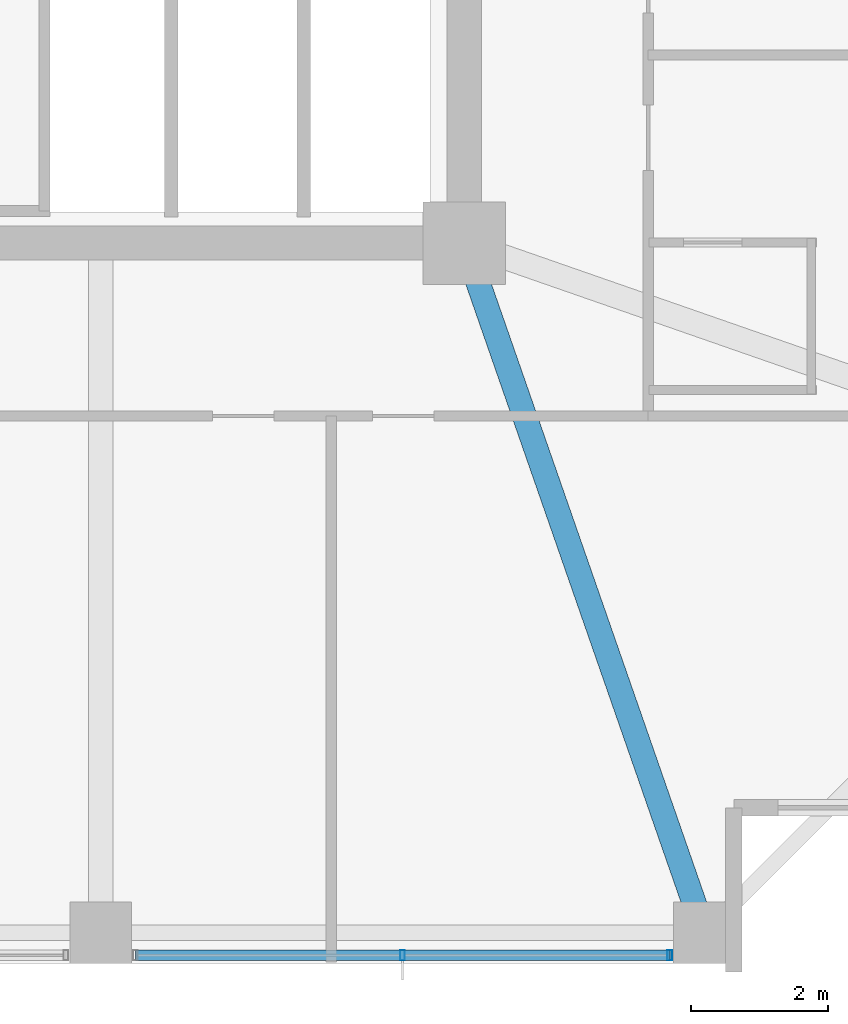
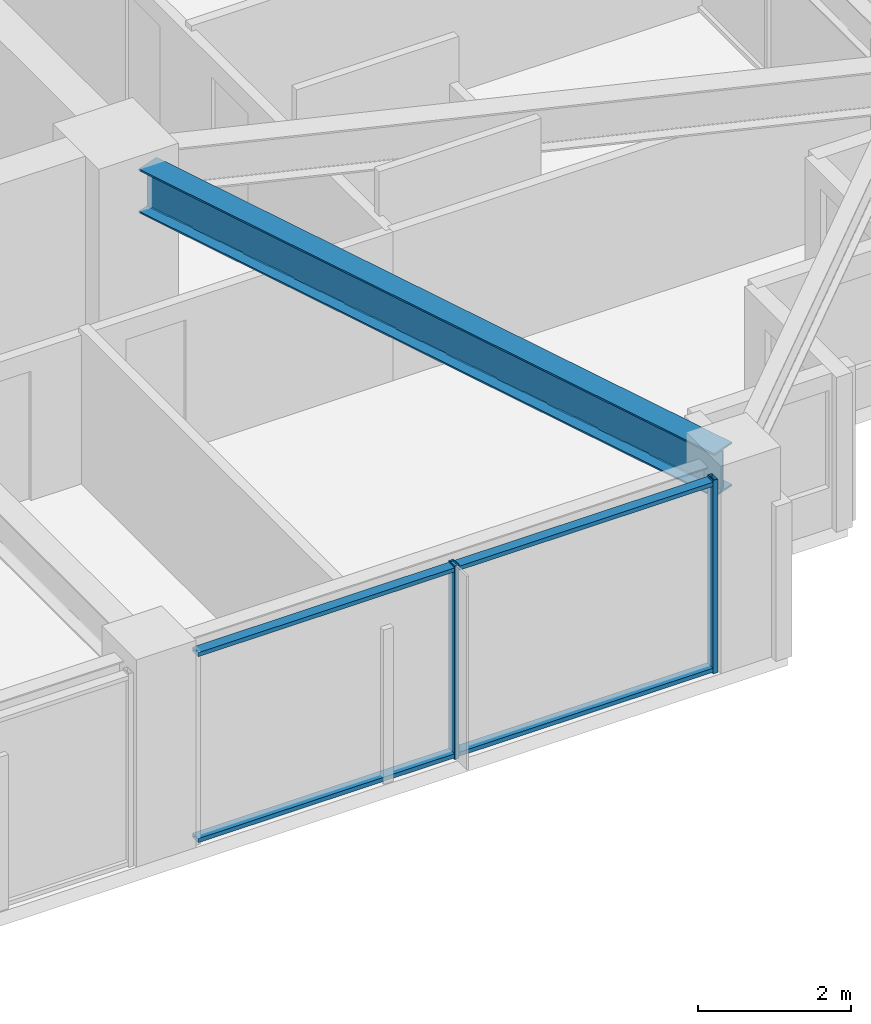
# One storey, part 10 of 34: 4 members, 1 beam, 1 element without a shape of its own.
"""IFC4 building model written with IfcOpenShell, lengths in metres."""

from ifc_helpers import new_model, si_unit, direction, frame, origin, origin_2d, place, context, subcontext, project, spatial, hollow_rectangle, i_section, extrude, material, material_profile, profile_set, type_object, element, aggregate, save


model = new_model("IFC4")

# Units and contexts
model_context = context("Model", 3, precision=1e-05, world=origin(), true_north=direction((0.0, 1.0)))
body_context = subcontext(model_context, "Body", "Model", "MODEL_VIEW")
ifc_project = project(units=[si_unit("LENGTHUNIT", "METRE"), si_unit("AREAUNIT", "SQUARE_METRE"), si_unit("VOLUMEUNIT", "CUBIC_METRE"), si_unit("PLANEANGLEUNIT", "RADIAN"), si_unit("MASSUNIT", "GRAM", prefix="KILO")], contexts=[model_context])

# Site, building, storey
site_placement = place(None, origin())
site = spatial("IfcSite", under=ifc_project, at=site_placement, CompositionType="ELEMENT")
building_placement = place(site_placement, origin())
building = spatial("IfcBuilding", under=site, at=building_placement, Name="Kolvaren Belvedere", CompositionType="ELEMENT")
storey_placement = place(building_placement, frame((0.0, 0.0, 189.89990234375)))
storey = spatial("IfcBuildingStorey", under=building, at=storey_placement, Name="L55", CompositionType="ELEMENT", Elevation=189.89990234375)

# Beam
ifc_material_1 = material(Name="Structural steel ASTM A992 Grade 50", Category="steel")
ifc_material_profile_1 = material_profile(ifc_material_1, i_section(OverallWidth=0.35498046875, OverallDepth=0.696044921875, WebThickness=0.015380859375, FlangeThickness=0.02490234375, FilletRadius=0.02197265625, at=origin_2d()), Name="W27X146")
ifc_profile_set_1 = profile_set([ifc_material_profile_1], Name="Structural steel ASTM A992 Grade 50")
beam_type = type_object("IfcBeamType", Name="BM-GIRD-W27X146", PredefinedType="BEAM", material=ifc_profile_set_1)
beam_placement = place(storey_placement, frame((10.080810546875, -10.41943359375, 2.732177734375), z_axis=(0.328894130701, -0.944366798861, 0.0), x_axis=(0.944366798861, 0.328894130701, 0.0)))
element("IfcBeam", 1, at=beam_placement, inside=storey, type_object=beam_type, Name="L55 Corner Core-to-Perimeter Girder CC2-S4", PredefinedType="BEAM", context=body_context, shape_type="SweptSolid", body=[
    extrude(i_section(OverallWidth=0.35498046875, OverallDepth=0.696044921875, WebThickness=0.015380859375, FlangeThickness=0.02490234375, FilletRadius=0.02197265625, at=origin_2d()), origin(), (0.0, 0.0, 1.0), 9.912109375),
])

# Curtain wall, members
ifc_material_2 = material(Name="Anodised pale-metal aluminium AA 6063-T6", Category="aluminium")
curtain_wall_type = type_object("IfcCurtainWallType", Name="CW-Z5-HIGH", PredefinedType="NOTDEFINED", material=ifc_material_2)
curtain_wall_placement = place(storey_placement, origin())
curtain_wall = element("IfcCurtainWall", 2, at=curtain_wall_placement, inside=storey, type_object=curtain_wall_type, Name="L55 Unitised Curtain Wall FCW-L55-S-B1", PredefinedType="NOTDEFINED")
ifc_material_3 = material(Name="Anodised pale-metal aluminium AA 6063-T6", Category="aluminium")
ifc_material_profile_2 = material_profile(ifc_material_3, hollow_rectangle(XDim=0.070068359375, YDim=0.14990234375, WallThickness=0.004150390625, at=origin_2d()), Name="ALU-MUL-150X70")
ifc_profile_set_2 = profile_set([ifc_material_profile_2], Name="Anodised pale-metal aluminium AA 6063-T6")
member_type_1 = type_object("IfcMemberType", Name="CW-MUL-150", PredefinedType="MULLION", material=ifc_profile_set_2)
member_1_placement = place(storey_placement, frame((12.89501953125, -20.280029296875, 0.0), z_axis=(0.0, 0.0, 1.0), x_axis=(1.0, 0.0, 0.0)))
member_1 = element("IfcMember", 3, at=member_1_placement, type_object=member_type_1, Name="FCW-L55-S-B1 Unitised Mullion 1", PredefinedType="MULLION", context=body_context, shape_type="SweptSolid", body=[
    extrude(hollow_rectangle(XDim=0.070068359375, YDim=0.14990234375, WallThickness=0.004150390625, at=origin_2d()), origin(), (0.0, 0.0, 1.0), 3.080078125),
])
member_2_placement = place(storey_placement, frame((9.0, -20.280029296875, 0.0), z_axis=(0.0, 0.0, 1.0), x_axis=(1.0, 0.0, 0.0)))
member_2 = element("IfcMember", 4, at=member_2_placement, type_object=member_type_1, Name="FCW-L55-S-B1 Unitised Mullion 2", PredefinedType="MULLION", context=body_context, shape_type="SweptSolid", body=[
    extrude(hollow_rectangle(XDim=0.070068359375, YDim=0.14990234375, WallThickness=0.004150390625, at=origin_2d()), origin(), (0.0, 0.0, 1.0), 3.080078125),
])
ifc_material_4 = material(Name="Anodised pale-metal aluminium AA 6063-T6", Category="aluminium")
ifc_material_profile_3 = material_profile(ifc_material_4, hollow_rectangle(XDim=0.06494140625, YDim=0.14990234375, WallThickness=0.00390625, at=origin_2d()), Name="ALU-TRN-150X65")
ifc_profile_set_3 = profile_set([ifc_material_profile_3], Name="Anodised pale-metal aluminium AA 6063-T6")
member_type_2 = type_object("IfcMemberType", Name="CW-TRN-150", PredefinedType="USERDEFINED", material=ifc_profile_set_3)
member_3_placement = place(storey_placement, frame((12.89501953125, -20.280029296875, 0.06005859375), z_axis=(-1.0, 0.0, 0.0), x_axis=(0.0, 0.0, 1.0)))
member_3 = element("IfcMember", 5, at=member_3_placement, type_object=member_type_2, Name="FCW-L55-S-B1 Sill Transom", ObjectType="TRANSOM", PredefinedType="USERDEFINED", context=body_context, shape_type="SweptSolid", body=[
    extrude(hollow_rectangle(XDim=0.06494140625, YDim=0.14990234375, WallThickness=0.00390625, at=origin_2d()), origin(), (0.0, 0.0, 1.0), 7.7900390625),
])
member_4_placement = place(storey_placement, frame((12.89501953125, -20.280029296875, 3.02001953125), z_axis=(-1.0, 0.0, 0.0), x_axis=(0.0, 0.0, 1.0)))
member_4 = element("IfcMember", 6, at=member_4_placement, type_object=member_type_2, Name="FCW-L55-S-B1 Head Transom", ObjectType="TRANSOM", PredefinedType="USERDEFINED", context=body_context, shape_type="SweptSolid", body=[
    extrude(hollow_rectangle(XDim=0.06494140625, YDim=0.14990234375, WallThickness=0.00390625, at=origin_2d()), origin(), (0.0, 0.0, 1.0), 7.7900390625),
])
aggregate(curtain_wall, [member_1, member_2, member_3, member_4])

save(model, "model.ifc")
